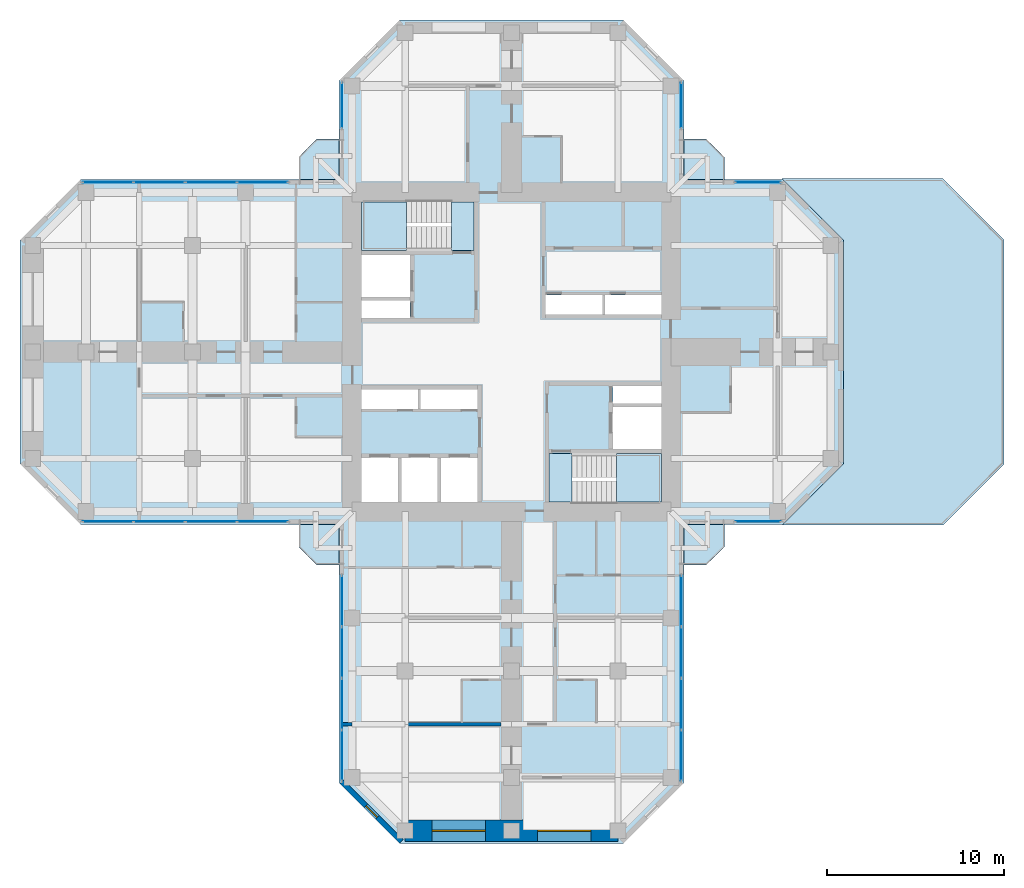
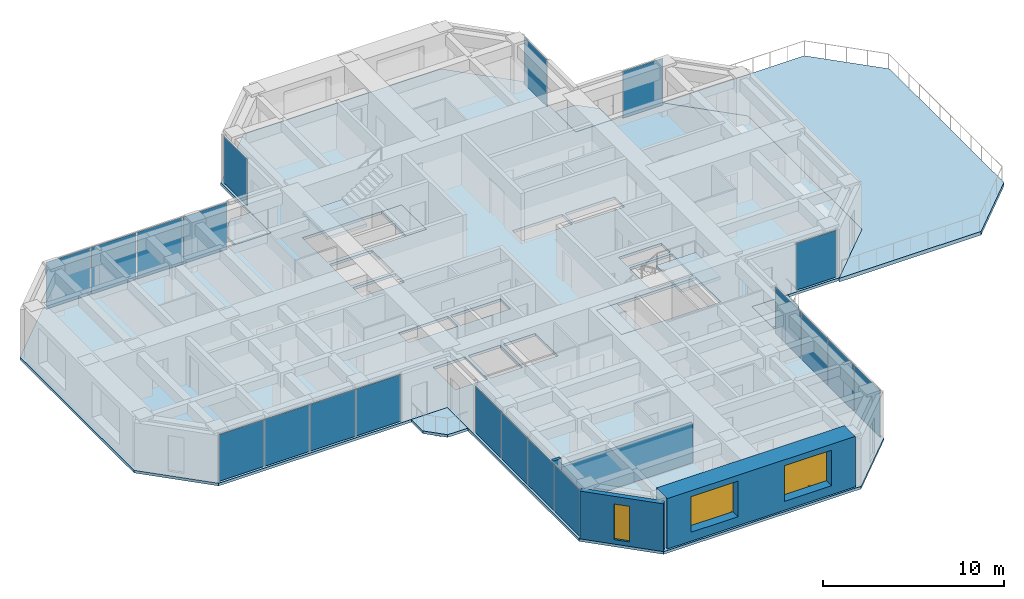
# One storey, part 7 of 14: 20 plates, 10 slabs, 4 walls, 3 windows, 3 openings, 10 elements without a shape of their own.
"""IFC4 building model written with IfcOpenShell, lengths in metres."""

from ifc_helpers import new_model, si_unit, direction, frame, frame_2d, origin, origin_2d, place, context, subcontext, project, spatial, polyline, rectangle, hollow_rectangle, outline, extrude, material, layer, layer_set, constituent, constituent_set, type_object, element, fill, aggregate, save


model = new_model("IFC4")

# Units and contexts
model_context = context("Model", 3, precision=1e-05, world=origin(), true_north=direction((0.0, 1.0)))
body_context = subcontext(model_context, "Body", "Model", "MODEL_VIEW")
ifc_project = project(units=[si_unit("LENGTHUNIT", "METRE"), si_unit("AREAUNIT", "SQUARE_METRE"), si_unit("VOLUMEUNIT", "CUBIC_METRE"), si_unit("PLANEANGLEUNIT", "RADIAN"), si_unit("MASSUNIT", "GRAM", prefix="KILO")], contexts=[model_context])

# Site, building, storey
site_placement = place(None, origin())
site = spatial("IfcSite", under=ifc_project, at=site_placement, CompositionType="ELEMENT")
building_placement = place(site_placement, origin())
building = spatial("IfcBuilding", under=site, at=building_placement, Name="Torre Cruceta", CompositionType="ELEMENT")
storey_placement = place(building_placement, frame((0.0, 0.0, 169.5)))
storey = spatial("IfcBuildingStorey", under=building, at=storey_placement, Name="L41", CompositionType="ELEMENT", Elevation=169.5)

# Slabs
ifc_material_1 = material(Name="Concrete G35 (fck 35 MPa)", Category="concrete")
ifc_layer_1 = layer(ifc_material_1, 0.179931640625)
ifc_layer_set_1 = layer_set([ifc_layer_1], Name="Concrete G35 (fck 35 MPa)")
slab_type_1 = type_object("IfcSlabType", Name="BALCONY SLAB 180", PredefinedType="USERDEFINED", material=ifc_layer_set_1)
slab_1_placement = place(storey_placement, frame((0.0, 0.0, -0.179931640625)))
element("IfcSlab", 1, at=slab_1_placement, inside=storey, type_object=slab_type_1, Name="Balcony slab L41 N", ObjectType="BALCONY", PredefinedType="USERDEFINED", context=body_context, shape_type="SweptSolid", body=[
    extrude(outline(polyline([(-12.0, 11.0), (-11.0, 12.0), (-9.719970703125, 12.0), (-9.719970703125, 9.719970703125), (-12.0, 9.719970703125), (-12.0, 11.0)])), origin(), (0.0, 0.0, 1.0), 0.179931640625),
])
slab_2_placement = place(storey_placement, frame((0.0, 0.0, -0.179931640625)))
element("IfcSlab", 2, at=slab_2_placement, inside=storey, type_object=slab_type_1, Name="Balcony slab L41 E", ObjectType="BALCONY", PredefinedType="USERDEFINED", context=body_context, shape_type="SweptSolid", body=[
    extrude(outline(polyline([(11.0, 12.0), (12.0, 11.0), (12.0, 9.719970703125), (9.719970703125, 9.719970703125), (9.719970703125, 12.0), (11.0, 12.0)])), origin(), (0.0, 0.0, 1.0), 0.179931640625),
])
slab_3_placement = place(storey_placement, frame((0.0, 0.0, -0.179931640625)))
element("IfcSlab", 3, at=slab_3_placement, inside=storey, type_object=slab_type_1, Name="Balcony slab L41 S", ObjectType="BALCONY", PredefinedType="USERDEFINED", context=body_context, shape_type="SweptSolid", body=[
    extrude(outline(polyline([(12.0, -11.0), (11.0, -12.0), (9.719970703125, -12.0), (9.719970703125, -9.719970703125), (12.0, -9.719970703125), (12.0, -11.0)])), origin(), (0.0, 0.0, 1.0), 0.179931640625),
])
slab_4_placement = place(storey_placement, frame((0.0, 0.0, -0.179931640625)))
element("IfcSlab", 4, at=slab_4_placement, inside=storey, type_object=slab_type_1, Name="Balcony slab L41 W", ObjectType="BALCONY", PredefinedType="USERDEFINED", context=body_context, shape_type="SweptSolid", body=[
    extrude(outline(polyline([(-11.0, -12.0), (-12.0, -11.0), (-12.0, -9.719970703125), (-9.719970703125, -9.719970703125), (-9.719970703125, -12.0), (-11.0, -12.0)])), origin(), (0.0, 0.0, 1.0), 0.179931640625),
])

# Curtain wall, plate
ifc_material_2 = material(Name="Aluminium unitised curtain wall", Category="aluminium")
curtain_wall_type = type_object("IfcCurtainWallType", Name="CURTAIN WALL CW-C CO-LIVING", PredefinedType="USERDEFINED", material=ifc_material_2)
curtain_wall_1_placement = place(storey_placement, origin())
curtain_wall_1 = element("IfcCurtainWall", 5, at=curtain_wall_1_placement, inside=storey, type_object=curtain_wall_type, Name="CW-C L41 W side 10", ObjectType="UNITISED", PredefinedType="USERDEFINED")
ifc_material_3 = material(Name="Laminated insulating glass unit, low-iron clear", Category="glass")
ifc_material_4 = material(Name="Laminated insulating glass unit, diagonal frit 50 %", Category="glass")
ifc_layer_2 = layer(ifc_material_4, 0.030029296875)
ifc_layer_set_2 = layer_set([ifc_layer_2], Name="Laminated insulating glass unit, diagonal frit 50 %")
plate_type_1 = type_object("IfcPlateType", Name="CW-C OPERABLE VENT PANEL 30", PredefinedType="CURTAIN_PANEL", material=ifc_layer_set_2)
plate_1_placement = place(storey_placement, frame((-16.94482421875, 9.570068359375, 0.010009765625), z_axis=(0.0, 0.0, 1.0), x_axis=(-1.0, 0.0, 0.0)))
plate_1 = element("IfcPlate", 6, at=plate_1_placement, type_object=plate_type_1, material=ifc_material_3, Name="CW-C vent 2", PredefinedType="CURTAIN_PANEL", context=body_context, shape_type="SweptSolid", body=[
    extrude(rectangle(XDim=2.8564453125, YDim=0.030029296875, at=origin_2d()), origin(), (0.0, 0.0, 1.0), 3.14990234375),
])

curtain_wall_2_placement = place(storey_placement, origin())
curtain_wall_2 = element("IfcCurtainWall", 7, at=curtain_wall_2_placement, inside=storey, type_object=curtain_wall_type, Name="CW-C L41 W side 14", ObjectType="UNITISED", PredefinedType="USERDEFINED")
plate_2_placement = place(storey_placement, frame((-19.861328125, -9.570068359375, 0.010009765625), z_axis=(0.0, 0.0, 1.0), x_axis=(1.0, 0.0, 0.0)))
plate_2 = element("IfcPlate", 8, at=plate_2_placement, type_object=plate_type_1, material=ifc_material_3, Name="CW-C vent 2", PredefinedType="CURTAIN_PANEL", context=body_context, shape_type="SweptSolid", body=[
    extrude(rectangle(XDim=2.8564453125, YDim=0.030029296875, at=origin_2d()), origin(), (0.0, 0.0, 1.0), 3.14990234375),
])

curtain_wall_3_placement = place(storey_placement, origin())
curtain_wall_3 = element("IfcCurtainWall", 9, at=curtain_wall_3_placement, inside=storey, type_object=curtain_wall_type, Name="CW-C L41 S side 15", ObjectType="UNITISED", PredefinedType="USERDEFINED")
plate_3_placement = place(storey_placement, frame((-9.570068359375, -16.94482421875, 0.010009765625), z_axis=(0.0, 0.0, 1.0), x_axis=(0.0, -1.0, 0.0)))
plate_3 = element("IfcPlate", 10, at=plate_3_placement, type_object=plate_type_1, material=ifc_material_3, Name="CW-C vent 2", PredefinedType="CURTAIN_PANEL", context=body_context, shape_type="SweptSolid", body=[
    extrude(rectangle(XDim=2.8564453125, YDim=0.030029296875, at=origin_2d()), origin(), (0.0, 0.0, 1.0), 3.14990234375),
])

curtain_wall_4_placement = place(storey_placement, origin())
curtain_wall_4 = element("IfcCurtainWall", 11, at=curtain_wall_4_placement, inside=storey, type_object=curtain_wall_type, Name="CW-C L41 S side 19", ObjectType="UNITISED", PredefinedType="USERDEFINED")
plate_4_placement = place(storey_placement, frame((9.570068359375, -19.861328125, 0.010009765625), z_axis=(0.0, 0.0, 1.0), x_axis=(0.0, 1.0, 0.0)))
plate_4 = element("IfcPlate", 12, at=plate_4_placement, type_object=plate_type_1, material=ifc_material_3, Name="CW-C vent 2", PredefinedType="CURTAIN_PANEL", context=body_context, shape_type="SweptSolid", body=[
    extrude(rectangle(XDim=2.8564453125, YDim=0.030029296875, at=origin_2d()), origin(), (0.0, 0.0, 1.0), 3.14990234375),
])

curtain_wall_5_placement = place(storey_placement, origin())
curtain_wall_5 = element("IfcCurtainWall", 13, at=curtain_wall_5_placement, inside=storey, type_object=curtain_wall_type, Name="CW-C L41 E side 00", ObjectType="UNITISED", PredefinedType="USERDEFINED")
ifc_material_5 = material(Name="Laminated insulating glass unit, diagonal frit 50 %", Category="glass")
ifc_material_6 = material(Name="Laminated insulating glass unit, diagonal frit 50 %", Category="glass")
ifc_layer_3 = layer(ifc_material_6, 0.030029296875)
ifc_layer_set_3 = layer_set([ifc_layer_3], Name="Laminated insulating glass unit, diagonal frit 50 %")
plate_type_2 = type_object("IfcPlateType", Name="CW-C PANEL 30", PredefinedType="CURTAIN_PANEL", material=ifc_layer_set_3)
plate_5_placement = place(storey_placement, frame((13.903076171875, -9.570068359375, 0.010009765625), z_axis=(0.0, 0.0, 1.0), x_axis=(1.0, 0.0, 0.0)))
plate_5 = element("IfcPlate", 14, at=plate_5_placement, type_object=plate_type_2, material=ifc_material_5, Name="CW-C panel 1", PredefinedType="CURTAIN_PANEL", context=body_context, shape_type="SweptSolid", body=[
    extrude(rectangle(XDim=2.546142578125, YDim=0.030029296875, at=origin_2d()), origin(), (0.0, 0.0, 1.0), 3.14990234375),
])
aggregate(curtain_wall_5, [plate_5])

curtain_wall_6_placement = place(storey_placement, origin())
curtain_wall_6 = element("IfcCurtainWall", 15, at=curtain_wall_6_placement, inside=storey, type_object=curtain_wall_type, Name="CW-C L41 E side 04", ObjectType="UNITISED", PredefinedType="USERDEFINED")
plate_6_placement = place(storey_placement, frame((13.903076171875, 9.570068359375, 0.010009765625), z_axis=(0.0, 0.0, 1.0), x_axis=(-1.0, 0.0, 0.0)))
plate_6 = element("IfcPlate", 16, at=plate_6_placement, type_object=plate_type_2, material=ifc_material_5, Name="CW-C panel 1", PredefinedType="CURTAIN_PANEL", context=body_context, shape_type="SweptSolid", body=[
    extrude(rectangle(XDim=2.546142578125, YDim=0.030029296875, at=origin_2d()), origin(), (0.0, 0.0, 1.0), 3.14990234375),
])
aggregate(curtain_wall_6, [plate_6])

curtain_wall_7_placement = place(storey_placement, origin())
curtain_wall_7 = element("IfcCurtainWall", 17, at=curtain_wall_7_placement, inside=storey, type_object=curtain_wall_type, Name="CW-C L41 N side 05", ObjectType="UNITISED", PredefinedType="USERDEFINED")
plate_7_placement = place(storey_placement, frame((9.570068359375, 13.903076171875, 0.010009765625), z_axis=(0.0, 0.0, 1.0), x_axis=(0.0, 1.0, 0.0)))
plate_7 = element("IfcPlate", 18, at=plate_7_placement, type_object=plate_type_2, material=ifc_material_5, Name="CW-C panel 1", PredefinedType="CURTAIN_PANEL", context=body_context, shape_type="SweptSolid", body=[
    extrude(rectangle(XDim=2.546142578125, YDim=0.030029296875, at=origin_2d()), origin(), (0.0, 0.0, 1.0), 3.14990234375),
])
aggregate(curtain_wall_7, [plate_7])

curtain_wall_8_placement = place(storey_placement, origin())
curtain_wall_8 = element("IfcCurtainWall", 19, at=curtain_wall_8_placement, inside=storey, type_object=curtain_wall_type, Name="CW-C L41 N side 09", ObjectType="UNITISED", PredefinedType="USERDEFINED")
plate_8_placement = place(storey_placement, frame((-9.570068359375, 13.903076171875, 0.010009765625), z_axis=(0.0, 0.0, 1.0), x_axis=(0.0, -1.0, 0.0)))
plate_8 = element("IfcPlate", 20, at=plate_8_placement, type_object=plate_type_2, material=ifc_material_5, Name="CW-C panel 1", PredefinedType="CURTAIN_PANEL", context=body_context, shape_type="SweptSolid", body=[
    extrude(rectangle(XDim=2.546142578125, YDim=0.030029296875, at=origin_2d()), origin(), (0.0, 0.0, 1.0), 3.14990234375),
])
aggregate(curtain_wall_8, [plate_8])

# Plate
plate_9_placement = place(storey_placement, frame((-14.043212890625, 9.570068359375, 0.010009765625), z_axis=(0.0, 0.0, 1.0), x_axis=(-1.0, 0.0, 0.0)))
plate_9 = element("IfcPlate", 21, at=plate_9_placement, type_object=plate_type_2, material=ifc_material_5, Name="CW-C panel 1", PredefinedType="CURTAIN_PANEL", context=body_context, shape_type="SweptSolid", body=[
    extrude(rectangle(XDim=2.826416015625, YDim=0.030029296875, at=origin_2d()), origin(), (0.0, 0.0, 1.0), 3.14990234375),
])

plate_10_placement = place(storey_placement, frame((-19.861328125, 9.570068359375, 0.010009765625), z_axis=(0.0, 0.0, 1.0), x_axis=(-1.0, 0.0, 0.0)))
plate_10 = element("IfcPlate", 22, at=plate_10_placement, type_object=plate_type_2, material=ifc_material_3, Name="CW-C panel 3", PredefinedType="CURTAIN_PANEL", context=body_context, shape_type="SweptSolid", body=[
    extrude(rectangle(XDim=2.8564453125, YDim=0.030029296875, at=origin_2d()), origin(), (0.0, 0.0, 1.0), 3.14990234375),
])

plate_11_placement = place(storey_placement, frame((-22.762939453125, 9.570068359375, 0.010009765625), z_axis=(0.0, 0.0, 1.0), x_axis=(-1.0, 0.0, 0.0)))
plate_11 = element("IfcPlate", 23, at=plate_11_placement, type_object=plate_type_2, material=ifc_material_5, Name="CW-C panel 4", PredefinedType="CURTAIN_PANEL", context=body_context, shape_type="SweptSolid", body=[
    extrude(rectangle(XDim=2.826416015625, YDim=0.030029296875, at=origin_2d()), origin(), (0.0, 0.0, 1.0), 3.14990234375),
])

aggregate(curtain_wall_1, [plate_9, plate_1, plate_10, plate_11])

plate_12_placement = place(storey_placement, frame((-22.762939453125, -9.570068359375, 0.010009765625), z_axis=(0.0, 0.0, 1.0), x_axis=(1.0, 0.0, 0.0)))
plate_12 = element("IfcPlate", 24, at=plate_12_placement, type_object=plate_type_2, material=ifc_material_5, Name="CW-C panel 1", PredefinedType="CURTAIN_PANEL", context=body_context, shape_type="SweptSolid", body=[
    extrude(rectangle(XDim=2.826416015625, YDim=0.030029296875, at=origin_2d()), origin(), (0.0, 0.0, 1.0), 3.14990234375),
])

plate_13_placement = place(storey_placement, frame((-16.94482421875, -9.570068359375, 0.010009765625), z_axis=(0.0, 0.0, 1.0), x_axis=(1.0, 0.0, 0.0)))
plate_13 = element("IfcPlate", 25, at=plate_13_placement, type_object=plate_type_2, material=ifc_material_3, Name="CW-C panel 3", PredefinedType="CURTAIN_PANEL", context=body_context, shape_type="SweptSolid", body=[
    extrude(rectangle(XDim=2.8564453125, YDim=0.030029296875, at=origin_2d()), origin(), (0.0, 0.0, 1.0), 3.14990234375),
])

plate_14_placement = place(storey_placement, frame((-14.043212890625, -9.570068359375, 0.010009765625), z_axis=(0.0, 0.0, 1.0), x_axis=(1.0, 0.0, 0.0)))
plate_14 = element("IfcPlate", 26, at=plate_14_placement, type_object=plate_type_2, material=ifc_material_5, Name="CW-C panel 4", PredefinedType="CURTAIN_PANEL", context=body_context, shape_type="SweptSolid", body=[
    extrude(rectangle(XDim=2.826416015625, YDim=0.030029296875, at=origin_2d()), origin(), (0.0, 0.0, 1.0), 3.14990234375),
])

aggregate(curtain_wall_2, [plate_12, plate_2, plate_13, plate_14])

plate_15_placement = place(storey_placement, frame((-9.570068359375, -14.043212890625, 0.010009765625), z_axis=(0.0, 0.0, 1.0), x_axis=(0.0, -1.0, 0.0)))
plate_15 = element("IfcPlate", 27, at=plate_15_placement, type_object=plate_type_2, material=ifc_material_5, Name="CW-C panel 1", PredefinedType="CURTAIN_PANEL", context=body_context, shape_type="SweptSolid", body=[
    extrude(rectangle(XDim=2.826416015625, YDim=0.030029296875, at=origin_2d()), origin(), (0.0, 0.0, 1.0), 3.14990234375),
])

plate_16_placement = place(storey_placement, frame((-9.570068359375, -19.861328125, 0.010009765625), z_axis=(0.0, 0.0, 1.0), x_axis=(0.0, -1.0, 0.0)))
plate_16 = element("IfcPlate", 28, at=plate_16_placement, type_object=plate_type_2, material=ifc_material_3, Name="CW-C panel 3", PredefinedType="CURTAIN_PANEL", context=body_context, shape_type="SweptSolid", body=[
    extrude(rectangle(XDim=2.8564453125, YDim=0.030029296875, at=origin_2d()), origin(), (0.0, 0.0, 1.0), 3.14990234375),
])

plate_17_placement = place(storey_placement, frame((-9.570068359375, -22.762939453125, 0.010009765625), z_axis=(0.0, 0.0, 1.0), x_axis=(0.0, -1.0, 0.0)))
plate_17 = element("IfcPlate", 29, at=plate_17_placement, type_object=plate_type_2, material=ifc_material_5, Name="CW-C panel 4", PredefinedType="CURTAIN_PANEL", context=body_context, shape_type="SweptSolid", body=[
    extrude(rectangle(XDim=2.826416015625, YDim=0.030029296875, at=origin_2d()), origin(), (0.0, 0.0, 1.0), 3.14990234375),
])

aggregate(curtain_wall_3, [plate_15, plate_3, plate_16, plate_17])

plate_18_placement = place(storey_placement, frame((9.570068359375, -22.762939453125, 0.010009765625), z_axis=(0.0, 0.0, 1.0), x_axis=(0.0, 1.0, 0.0)))
plate_18 = element("IfcPlate", 30, at=plate_18_placement, type_object=plate_type_2, material=ifc_material_5, Name="CW-C panel 1", PredefinedType="CURTAIN_PANEL", context=body_context, shape_type="SweptSolid", body=[
    extrude(rectangle(XDim=2.826416015625, YDim=0.030029296875, at=origin_2d()), origin(), (0.0, 0.0, 1.0), 3.14990234375),
])

plate_19_placement = place(storey_placement, frame((9.570068359375, -16.94482421875, 0.010009765625), z_axis=(0.0, 0.0, 1.0), x_axis=(0.0, 1.0, 0.0)))
plate_19 = element("IfcPlate", 31, at=plate_19_placement, type_object=plate_type_2, material=ifc_material_3, Name="CW-C panel 3", PredefinedType="CURTAIN_PANEL", context=body_context, shape_type="SweptSolid", body=[
    extrude(rectangle(XDim=2.8564453125, YDim=0.030029296875, at=origin_2d()), origin(), (0.0, 0.0, 1.0), 3.14990234375),
])

plate_20_placement = place(storey_placement, frame((9.570068359375, -14.043212890625, 0.010009765625), z_axis=(0.0, 0.0, 1.0), x_axis=(0.0, 1.0, 0.0)))
plate_20 = element("IfcPlate", 32, at=plate_20_placement, type_object=plate_type_2, material=ifc_material_5, Name="CW-C panel 4", PredefinedType="CURTAIN_PANEL", context=body_context, shape_type="SweptSolid", body=[
    extrude(rectangle(XDim=2.826416015625, YDim=0.030029296875, at=origin_2d()), origin(), (0.0, 0.0, 1.0), 3.14990234375),
])

aggregate(curtain_wall_4, [plate_18, plate_4, plate_19, plate_20])

# Slab
ifc_material_7 = material(Name="Concrete G35 (fck 35 MPa)", Category="concrete")
ifc_layer_4 = layer(ifc_material_7, 0.179931640625)
ifc_layer_set_4 = layer_set([ifc_layer_4], Name="Concrete G35 (fck 35 MPa)")
slab_type_2 = type_object("IfcSlabType", Name="FLOOR SLAB 180", PredefinedType="FLOOR", material=ifc_layer_set_4)
slab_5_placement = place(storey_placement, frame((0.0, 0.0, -0.179931640625)))
element("IfcSlab", 33, at=slab_5_placement, inside=storey, type_object=slab_type_2, Name="Floor Slab L41", PredefinedType="FLOOR", context=body_context, shape_type="SweptSolid", body=[
    extrude(outline(polyline([(9.719970703125, -9.719970703125), (9.719970703125, -24.29833984375), (6.29833984375, -27.719970703125), (-6.29833984375, -27.719970703125), (-9.719970703125, -24.29833984375), (-9.719970703125, -9.719970703125), (-24.29833984375, -9.719970703125), (-27.719970703125, -6.29833984375), (-27.719970703125, 6.29833984375), (-24.29833984375, 9.719970703125), (-9.719970703125, 9.719970703125), (-9.719970703125, 15.29833984375), (-6.29833984375, 18.719970703125), (6.29833984375, 18.719970703125), (9.719970703125, 15.29833984375), (9.719970703125, 9.719970703125), (15.29833984375, 9.719970703125), (18.719970703125, 6.29833984375), (18.719970703125, -6.29833984375), (15.29833984375, -9.719970703125), (9.719970703125, -9.719970703125)]), holes=[polyline([(1.925048828125, 2.125), (5.125, 2.125), (5.125, 3.22509765625), (1.925048828125, 3.22509765625), (1.925048828125, 2.125)]), polyline([(5.27490234375, 2.125), (8.449951171875, 2.125), (8.449951171875, 3.22509765625), (5.27490234375, 3.22509765625), (5.27490234375, 2.125)]), polyline([(-8.449951171875, 3.10009765625), (-5.72509765625, 3.10009765625), (-5.72509765625, 5.47509765625), (-8.449951171875, 5.47509765625), (-8.449951171875, 3.10009765625)]), polyline([(-8.449951171875, 1.925048828125), (-5.72509765625, 1.925048828125), (-5.72509765625, 2.89990234375), (-8.449951171875, 2.89990234375), (-8.449951171875, 1.925048828125)]), polyline([(-3.966552734375, -8.449951171875), (-1.925048828125, -8.449951171875), (-1.925048828125, -5.97509765625), (-3.966552734375, -5.97509765625), (-3.966552734375, -8.449951171875)]), polyline([(-6.208251953125, -8.449951171875), (-4.166748046875, -8.449951171875), (-4.166748046875, -5.97509765625), (-6.208251953125, -5.97509765625), (-6.208251953125, -8.449951171875)]), polyline([(-8.449951171875, -8.449951171875), (-6.408447265625, -8.449951171875), (-6.408447265625, -5.97509765625), (-8.449951171875, -5.97509765625), (-8.449951171875, -8.449951171875)]), polyline([(-5.125, -3.22509765625), (-1.925048828125, -3.22509765625), (-1.925048828125, -2.125), (-5.125, -2.125), (-5.125, -3.22509765625)]), polyline([(-8.449951171875, -3.22509765625), (-5.27490234375, -3.22509765625), (-5.27490234375, -2.125), (-8.449951171875, -2.125), (-8.449951171875, -3.22509765625)]), polyline([(5.72509765625, -5.47509765625), (8.449951171875, -5.47509765625), (8.449951171875, -3.10009765625), (5.72509765625, -3.10009765625), (5.72509765625, -5.47509765625)]), polyline([(5.72509765625, -2.89990234375), (8.449951171875, -2.89990234375), (8.449951171875, -1.925048828125), (5.72509765625, -1.925048828125), (5.72509765625, -2.89990234375)]), polyline([(-8.449951171875, 5.72509765625), (-8.449951171875, 8.449951171875), (-3.39990234375, 8.449951171875), (-2.125, 8.449951171875), (-2.125, 5.72509765625), (-3.39990234375, 5.72509765625), (-8.449951171875, 5.72509765625)]), polyline([(2.125, -5.72509765625), (3.39990234375, -5.72509765625), (8.449951171875, -5.72509765625), (8.449951171875, -8.449951171875), (3.39990234375, -8.449951171875), (2.125, -8.449951171875), (2.125, -5.72509765625)])]), origin(), (0.0, 0.0, 1.0), 0.179931640625),
])

# Stair, slab
ifc_material_8 = material(Name="Concrete G30 (fck 30 MPa)", Category="concrete")
stair_type = type_object("IfcStairType", Name="STAIR HALF-TURN 1300", PredefinedType="HALF_TURN_STAIR", material=ifc_material_8)
stair_1_placement = place(storey_placement, origin())
stair_1 = element("IfcStair", 34, at=stair_1_placement, inside=storey, type_object=stair_type, Name="Stair ST1 L41", PredefinedType="HALF_TURN_STAIR")
ifc_material_9 = material(Name="Concrete G30 (fck 30 MPa)", Category="concrete")
ifc_layer_5 = layer(ifc_material_9, 0.199951171875)
ifc_layer_set_5 = layer_set([ifc_layer_5], Name="Concrete G30 (fck 30 MPa)")
slab_type_3 = type_object("IfcSlabType", Name="STAIR LANDING 200", PredefinedType="LANDING", material=ifc_layer_set_5)
slab_6_placement = place(storey_placement, frame((0.0, 0.0, 1.5)))
slab_6 = element("IfcSlab", 35, at=slab_6_placement, type_object=slab_type_3, Name="ST1 landing 1", PredefinedType="LANDING", context=body_context, shape_type="SweptSolid", body=[
    extrude(outline(polyline([(-8.449951171875, 5.72509765625), (-5.919921875, 5.72509765625), (-5.919921875, 8.449951171875), (-8.449951171875, 8.449951171875), (-8.449951171875, 5.72509765625)])), origin(), (0.0, 0.0, 1.0), 0.199951171875),
])
aggregate(stair_1, [slab_6])

stair_2_placement = place(storey_placement, origin())
stair_2 = element("IfcStair", 36, at=stair_2_placement, inside=storey, type_object=stair_type, Name="Stair ST2 L41", PredefinedType="HALF_TURN_STAIR")
slab_7_placement = place(storey_placement, frame((0.0, 0.0, 1.5)))
slab_7 = element("IfcSlab", 37, at=slab_7_placement, type_object=slab_type_3, Name="ST2 landing 1", PredefinedType="LANDING", context=body_context, shape_type="SweptSolid", body=[
    extrude(outline(polyline([(5.919921875, -8.449951171875), (8.449951171875, -8.449951171875), (8.449951171875, -5.72509765625), (5.919921875, -5.72509765625), (5.919921875, -8.449951171875)])), origin(), (0.0, 0.0, 1.0), 0.199951171875),
])
aggregate(stair_2, [slab_7])

# Slabs
slab_8_placement = place(storey_placement, frame((0.0, 0.0, -0.199951171875)))
element("IfcSlab", 38, at=slab_8_placement, inside=storey, type_object=slab_type_3, Name="Stair ST1 floor landing L41", PredefinedType="LANDING", context=body_context, shape_type="SweptSolid", body=[
    extrude(outline(polyline([(-2.125, 8.449951171875), (-2.125, 5.72509765625), (-3.39990234375, 5.72509765625), (-3.39990234375, 8.449951171875), (-2.125, 8.449951171875)])), origin(), (0.0, 0.0, 1.0), 0.199951171875),
])
slab_9_placement = place(storey_placement, frame((0.0, 0.0, -0.199951171875)))
element("IfcSlab", 39, at=slab_9_placement, inside=storey, type_object=slab_type_3, Name="Stair ST2 floor landing L41", PredefinedType="LANDING", context=body_context, shape_type="SweptSolid", body=[
    extrude(outline(polyline([(2.125, -8.449951171875), (2.125, -5.72509765625), (3.39990234375, -5.72509765625), (3.39990234375, -8.449951171875), (2.125, -8.449951171875)])), origin(), (0.0, 0.0, 1.0), 0.199951171875),
])
ifc_material_10 = material(Name="Concrete G35 (fck 35 MPa)", Category="concrete")
ifc_layer_6 = layer(ifc_material_10, 0.25)
ifc_layer_set_6 = layer_set([ifc_layer_6], Name="Concrete G35 (fck 35 MPa)")
slab_type_4 = type_object("IfcSlabType", Name="TERRACE SLAB 250", PredefinedType="ROOF", material=ifc_layer_set_6)
slab_10_placement = place(storey_placement, frame((0.0, 0.0, -0.25)))
element("IfcSlab", 40, at=slab_10_placement, inside=storey, type_object=slab_type_4, Name="Terrace slab L41-1", PredefinedType="ROOF", context=body_context, shape_type="SweptSolid", body=[
    extrude(outline(polyline([(24.31884765625, 9.77001953125), (27.77001953125, 6.31884765625), (27.77001953125, -6.31884765625), (24.31884765625, -9.77001953125), (15.248291015625, -9.77001953125), (15.29833984375, -9.719970703125), (18.719970703125, -6.29833984375), (18.719970703125, 6.29833984375), (15.29833984375, 9.719970703125), (15.248291015625, 9.77001953125), (24.31884765625, 9.77001953125)])), origin(), (0.0, 0.0, 1.0), 0.25),
])

# Wall, opening, window
ifc_material_11 = material(Name="Concrete G30 (fck 30 MPa)", Category="concrete")
ifc_layer_7 = layer(ifc_material_11, 0.300048828125)
ifc_layer_set_7 = layer_set([ifc_layer_7], Name="Concrete G30 (fck 30 MPa)")
wall_type_1 = type_object("IfcWallType", Name="EXPOSED CONCRETE FACADE WALL 300", PredefinedType="SOLIDWALL", material=ifc_layer_set_7)
wall_1_placement = place(storey_placement, frame((-9.570068359375, -24.236083984375, 0.0), z_axis=(0.0, 0.0, 1.0), x_axis=(0.707106781187, -0.707106781187, 0.0)))
wall_1 = element("IfcWall", 41, at=wall_1_placement, inside=storey, type_object=wall_type_1, Name="EW1 facade wall L41 S chamfer 16", PredefinedType="SOLIDWALL", context=body_context, shape_type="SweptSolid", body=[
    extrude(rectangle(XDim=4.75732421875, YDim=0.300048828125, at=frame_2d((2.378662109375, 0.0))), origin(), (0.0, 0.0, 1.0), 3.219970703125),
])
opening_1_placement = place(wall_1_placement, frame((1.9287109375, 0.0, 0.300048828125)))
opening_1 = element("IfcOpeningElement", 42, at=opening_1_placement, cuts=wall_1, Name="Opening WN5", PredefinedType="OPENING", context=body_context, shape_type="SweptSolid", body=[
    extrude(rectangle(XDim=0.89990234375, YDim=2.39990234375, at=frame_2d((0.449951171875, 1.199951171875))), frame((0.0, 0.159912109375, 0.0), z_axis=(0.0, -1.0, 0.0), x_axis=(1.0, 0.0, 0.0)), (0.0, 0.0, 1.0), 0.320068359375),
])
ifc_material_12 = material(Name="Aluminium window frame", Category="aluminium")
ifc_constituent_1 = constituent(ifc_material_12, Name="Frame")
ifc_material_13 = material(Name="Laminated insulating glass unit, low-iron clear", Category="glass")
ifc_constituent_2 = constituent(ifc_material_13, Name="Glazing")
ifc_constituent_set_1 = constituent_set(constituents=[ifc_constituent_1, ifc_constituent_2], Name="Aluminium window")
window_type_1 = type_object("IfcWindowType", Name="CHAMFER SLOT WINDOW 900X2400", PartitioningType="SINGLE_PANEL", PredefinedType="WINDOW", material=ifc_constituent_set_1)
window_1_placement = place(opening_1_placement, origin())
window_1 = element("IfcWindow", 43, at=window_1_placement, inside=storey, type_object=window_type_1, Name="WN5 L41 S 1", OverallHeight=2.39990234375, OverallWidth=0.89990234375, PartitioningType="SINGLE_PANEL", PredefinedType="WINDOW", context=body_context, shape_type="SweptSolid", body=[
    extrude(hollow_rectangle(XDim=0.89990234375, YDim=2.39990234375, WallThickness=0.06005859375, at=frame_2d((0.449951171875, 1.199951171875))), frame((0.0, 0.030029296875, 0.0), z_axis=(0.0, -1.0, 0.0), x_axis=(1.0, 0.0, 0.0)), (0.0, 0.0, 1.0), 0.06005859375),
    extrude(rectangle(XDim=0.77880859375, YDim=2.27880859375, at=frame_2d((0.449951171875, 1.199951171875))), frame((0.0, 0.030029296875, 0.0), z_axis=(0.0, -1.0, 0.0), x_axis=(1.0, 0.0, 0.0)), (0.0, 0.0, 1.0), 0.06005859375),
])
fill(opening_1, window_1)

# Wall, openings, windows
ifc_material_14 = material(Name="Concrete G60 (fck 60 MPa)", Category="concrete")
ifc_layer_8 = layer(ifc_material_14, 1.199951171875)
ifc_layer_set_8 = layer_set([ifc_layer_8], Name="Concrete G60 (fck 60 MPa)")
wall_type_2 = type_object("IfcWallType", Name="NOSE WALL 1200 G60", PredefinedType="SHEAR", material=ifc_layer_set_8)
wall_2_placement = place(storey_placement, frame((-6.0, -27.0, 0.0), z_axis=(0.0, 0.0, 1.0), x_axis=(1.0, 0.0, 0.0)))
wall_2 = element("IfcWall", 44, at=wall_2_placement, inside=storey, type_object=wall_type_2, Name="NW1 nose wall L41 S", PredefinedType="SHEAR", context=body_context, shape_type="SweptSolid", body=[
    extrude(rectangle(XDim=12.0, YDim=1.199951171875, at=frame_2d((6.0, 0.0))), origin(), (0.0, 0.0, 1.0), 3.39990234375),
])
opening_2_placement = place(wall_2_placement, frame((1.52490234375, 0.0, 0.60009765625)))
opening_2 = element("IfcOpeningElement", 45, at=opening_2_placement, cuts=wall_2, Name="Opening WN6", PredefinedType="OPENING", context=body_context, shape_type="SweptSolid", body=[
    extrude(rectangle(XDim=3.0, YDim=2.39990234375, at=frame_2d((1.5, 1.199951171875))), frame((0.0, 0.60986328125, 0.0), z_axis=(0.0, -1.0, 0.0), x_axis=(1.0, 0.0, 0.0)), (0.0, 0.0, 1.0), 1.219970703125),
])
opening_3_placement = place(wall_2_placement, frame((7.47509765625, 0.0, 0.60009765625)))
opening_3 = element("IfcOpeningElement", 46, at=opening_3_placement, cuts=wall_2, Name="Opening WN6", PredefinedType="OPENING", context=body_context, shape_type="SweptSolid", body=[
    extrude(rectangle(XDim=3.0, YDim=2.39990234375, at=frame_2d((1.5, 1.199951171875))), frame((0.0, 0.60986328125, 0.0), z_axis=(0.0, -1.0, 0.0), x_axis=(1.0, 0.0, 0.0)), (0.0, 0.0, 1.0), 1.219970703125),
])
ifc_material_15 = material(Name="Aluminium window frame", Category="aluminium")
ifc_constituent_3 = constituent(ifc_material_15, Name="Frame")
ifc_material_16 = material(Name="Laminated insulating glass unit, low-iron clear", Category="glass")
ifc_constituent_4 = constituent(ifc_material_16, Name="Glazing")
ifc_constituent_set_2 = constituent_set(constituents=[ifc_constituent_3, ifc_constituent_4], Name="Aluminium window")
window_type_2 = type_object("IfcWindowType", Name="NOSE WALL WINDOW 3000X2400", PartitioningType="SINGLE_PANEL", PredefinedType="WINDOW", material=ifc_constituent_set_2)
window_2_placement = place(opening_2_placement, origin())
window_2 = element("IfcWindow", 47, at=window_2_placement, inside=storey, type_object=window_type_2, Name="WN6 L41 S 1", OverallHeight=2.39990234375, OverallWidth=3.0, PartitioningType="SINGLE_PANEL", PredefinedType="WINDOW", context=body_context, shape_type="SweptSolid", body=[
    extrude(hollow_rectangle(XDim=3.0, YDim=2.39990234375, WallThickness=0.06005859375, at=frame_2d((1.5, 1.199951171875))), frame((0.0, 0.030029296875, 0.0), z_axis=(0.0, -1.0, 0.0), x_axis=(1.0, 0.0, 0.0)), (0.0, 0.0, 1.0), 0.06005859375),
    extrude(rectangle(XDim=2.87890625, YDim=2.27880859375, at=frame_2d((1.5, 1.199951171875))), frame((0.0, 0.030029296875, 0.0), z_axis=(0.0, -1.0, 0.0), x_axis=(1.0, 0.0, 0.0)), (0.0, 0.0, 1.0), 0.06005859375),
])
fill(opening_2, window_2)
window_3_placement = place(opening_3_placement, origin())
window_3 = element("IfcWindow", 48, at=window_3_placement, inside=storey, type_object=window_type_2, Name="WN6 L41 S 2", OverallHeight=2.39990234375, OverallWidth=3.0, PartitioningType="SINGLE_PANEL", PredefinedType="WINDOW", context=body_context, shape_type="SweptSolid", body=[
    extrude(hollow_rectangle(XDim=3.0, YDim=2.39990234375, WallThickness=0.06005859375, at=frame_2d((1.5, 1.199951171875))), frame((0.0, 0.030029296875, 0.0), z_axis=(0.0, -1.0, 0.0), x_axis=(1.0, 0.0, 0.0)), (0.0, 0.0, 1.0), 0.06005859375),
    extrude(rectangle(XDim=2.87890625, YDim=2.27880859375, at=frame_2d((1.5, 1.199951171875))), frame((0.0, 0.030029296875, 0.0), z_axis=(0.0, -1.0, 0.0), x_axis=(1.0, 0.0, 0.0)), (0.0, 0.0, 1.0), 0.06005859375),
])
fill(opening_3, window_3)

# Walls
ifc_material_17 = material(Name="Concrete G25 (fck 25 MPa)", Category="concrete")
ifc_layer_9 = layer(ifc_material_17, 0.199951171875)
ifc_layer_set_9 = layer_set([ifc_layer_9], Name="Concrete G25 (fck 25 MPa)")
wall_type_3 = type_object("IfcWallType", Name="UNIT SEPARATING WALL 200", PredefinedType="SOLIDWALL", material=ifc_layer_set_9)
wall_3_placement = place(storey_placement, frame((-9.530029296875, -21.0, 0.0), z_axis=(0.0, 0.0, 1.0), x_axis=(1.0, 0.0, 0.0)))
element("IfcWall", 49, at=wall_3_placement, inside=storey, type_object=wall_type_3, Name="PT2 L41-S-ENDa", PredefinedType="SOLIDWALL", context=body_context, shape_type="SweptSolid", body=[
    extrude(rectangle(XDim=0.530029296875, YDim=0.199951171875, at=frame_2d((0.26513671875, 0.0))), origin(), (0.0, 0.0, 1.0), 3.219970703125),
])
wall_4_placement = place(storey_placement, frame((-9.0, -21.0, 0.0), z_axis=(0.0, 0.0, 1.0), x_axis=(1.0, 0.0, 0.0)))
element("IfcWall", 50, at=wall_4_placement, inside=storey, type_object=wall_type_3, Name="PT2 L41-S-ENDa 2", PredefinedType="SOLIDWALL", context=body_context, shape_type="SweptSolid", body=[
    extrude(rectangle(XDim=8.39990234375, YDim=0.199951171875, at=frame_2d((4.199951171875, 0.0))), origin(), (0.0, 0.0, 1.0), 2.6201171875),
])

save(model, "model.ifc")
